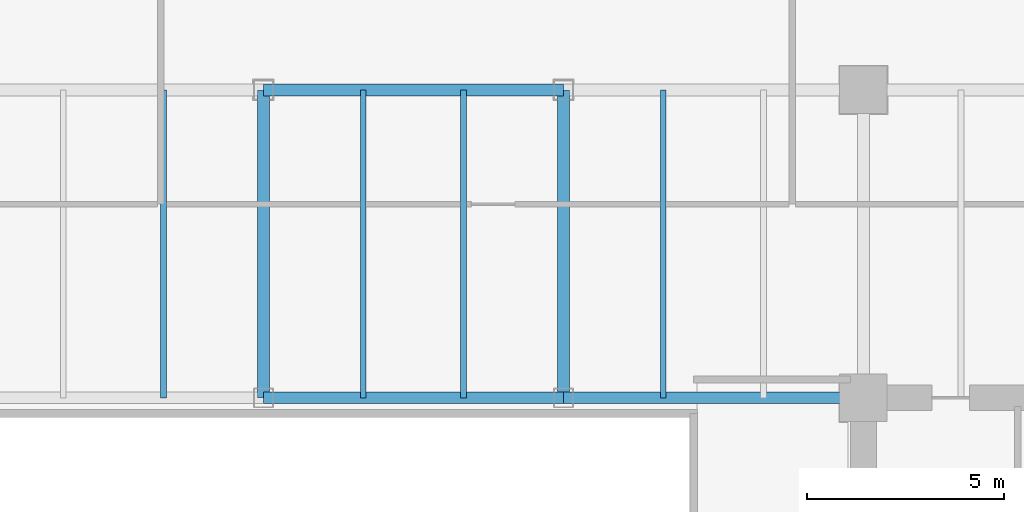
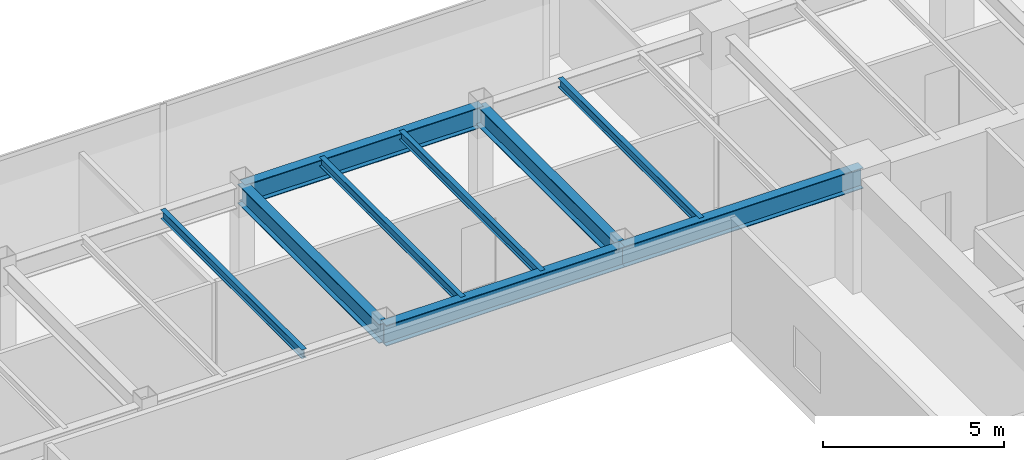
# One storey, part 17 of 33: 9 beams.
"""IFC4 building model written with IfcOpenShell, lengths in metres."""

import ifcopenshell
import ifcopenshell.guid

model = None  # the IFC model being written
_history = None  # IfcOwnerHistory: only IFC2X3 demands one
_inside = {}  # id of a spatial element -> (the spatial element, [elements in it])
_under = {}  # id of a project, library or spatial element -> (it, [spatial elements below it])
_declared = {}  # id of a project -> (the project, [libraries it declares])
_typed = {}  # id of a type object -> (the type object, [elements of that type])
_made_of = {}  # id of a material, layer set ... -> (it, [elements and type objects made of it])


def new_model(schema):
    """Start an empty IFC model of exactly this schema.

    Asked for "IFC4X3", IfcOpenShell would pick the latest addendum, in which some entities
    have other attributes; the version numbers below select the first issue.
    IFC2X3 requires an IfcOwnerHistory on every rooted entity: one is made here for all.
    """
    global model, _history
    if schema == "IFC4X3":
        model = ifcopenshell.file(schema_version=(4, 3, 0, 0))
    else:
        model = ifcopenshell.file(schema=schema)
    _inside.clear()
    _under.clear()
    _declared.clear()
    _typed.clear()
    _made_of.clear()
    _history = None
    if model.schema == "IFC2X3":
        org = make("IfcOrganization", Name="unknown")
        user = make(
            "IfcPersonAndOrganization",
            ThePerson=make("IfcPerson", FamilyName="unknown"),
            TheOrganization=org,
        )
        app = make(
            "IfcApplication",
            ApplicationDeveloper=org,
            Version="unknown",
            ApplicationFullName="unknown",
            ApplicationIdentifier="unknown",
        )
        _history = make(
            "IfcOwnerHistory",
            OwningUser=user,
            OwningApplication=app,
            ChangeAction="ADDED",
            CreationDate=0,
        )
    return model


def make(cls, **values):
    """One entity of the class cls with the attributes given. An attribute that is None is left unset."""
    return model.create_entity(
        cls, **{name: value for name, value in values.items() if value is not None}
    )


def rooted(cls, **values):
    """An entity with a GlobalId (a new one), such as an element, a storey or a relation."""
    return make(cls, GlobalId=ifcopenshell.guid.new(), OwnerHistory=_history, **values)


def si_unit(unit_type, name, prefix=None):
    """IfcSIUnit, for example si_unit("LENGTHUNIT", "METRE", prefix="MILLI")."""
    return make("IfcSIUnit", UnitType=unit_type, Prefix=prefix, Name=name)


def assignment(units):
    """IfcUnitAssignment: the units of a project."""
    return None if units is None else make("IfcUnitAssignment", Units=units)


def point(xyz):
    """IfcCartesianPoint."""
    return None if xyz is None else make("IfcCartesianPoint", Coordinates=xyz)


def direction(xyz):
    """IfcDirection."""
    return None if xyz is None else make("IfcDirection", DirectionRatios=xyz)


def frame(location, z_axis=None, x_axis=None):
    """IfcAxis2Placement3D, a coordinate frame: its origin and axes. An axis left out is left unset."""
    return make(
        "IfcAxis2Placement3D",
        Location=point(location),
        Axis=direction(z_axis),
        RefDirection=direction(x_axis),
    )


def frame_2d(location, x_axis=None):
    """IfcAxis2Placement2D, a coordinate frame in the plane: its origin and x axis."""
    return make(
        "IfcAxis2Placement2D", Location=point(location), RefDirection=direction(x_axis)
    )


def origin():
    """The frame at (0, 0, 0) with its axes left unset."""
    return frame((0.0, 0.0, 0.0))


def origin_2d():
    """The frame at (0, 0) in the plane with its x axis left unset."""
    return frame_2d((0.0, 0.0))


def place(relative_to, where):
    """IfcLocalPlacement: puts the frame where relative to a parent placement (None: the world)."""
    return make(
        "IfcLocalPlacement", PlacementRelTo=relative_to, RelativePlacement=where
    )


def context(
    kind, dimensions, precision=None, world=None, true_north=None, identifier=None
):
    """IfcGeometricRepresentationContext, for example the 3D "Model" context."""
    return make(
        "IfcGeometricRepresentationContext",
        ContextIdentifier=identifier,
        ContextType=kind,
        CoordinateSpaceDimension=dimensions,
        Precision=precision,
        WorldCoordinateSystem=world,
        TrueNorth=true_north,
    )


def subcontext(parent, identifier, kind, view, scale=None):
    """IfcGeometricRepresentationSubContext, for example "Body" below "Model"."""
    return make(
        "IfcGeometricRepresentationSubContext",
        ContextIdentifier=identifier,
        ContextType=kind,
        ParentContext=parent,
        TargetScale=scale,
        TargetView=view,
    )


def project(units=None, contexts=None):
    """IfcProject with its units and contexts."""
    return rooted(
        "IfcProject",
        Name="project",
        RepresentationContexts=contexts,
        UnitsInContext=assignment(units),
    )


def spatial(cls, under=None, at=None, **own):
    """A site, building, storey or space (cls), placed at a placement, below another one or the project."""
    s = rooted(cls, ObjectPlacement=at, **own)
    if under is not None:
        _under.setdefault(under.id(), (under, []))[1].append(s)
    return s


def profile(cls, at=None, kind="AREA", **sizes):
    """A parametric profile (cls). Its sizes go by their IFC names, for example OverallWidth=200.0."""
    return make(cls, ProfileType=kind, Position=at, **sizes)


def i_section(**sizes):
    """IfcIShapeProfileDef."""
    return profile("IfcIShapeProfileDef", **sizes)


def extrude(swept, where, along, depth):
    """IfcExtrudedAreaSolid: the profile swept, set in the frame where, extruded along a direction by depth."""
    return make(
        "IfcExtrudedAreaSolid",
        SweptArea=swept,
        Position=where,
        ExtrudedDirection=direction(along),
        Depth=depth,
    )


def shape(context_of_items, identifier, shape_type, items):
    """IfcShapeRepresentation: the items that make up one representation, for example the "Body"."""
    return make(
        "IfcShapeRepresentation",
        ContextOfItems=context_of_items,
        RepresentationIdentifier=identifier,
        RepresentationType=shape_type,
        Items=items,
    )


def source(mapping_origin, context_of_items, identifier, shape_type, items):
    """IfcRepresentationMap: a shape defined once, which mapped items show again and again."""
    return make(
        "IfcRepresentationMap",
        MappingOrigin=mapping_origin,
        MappedRepresentation=shape(context_of_items, identifier, shape_type, items),
    )


def transform(
    local_origin,
    x_axis=None,
    y_axis=None,
    z_axis=None,
    scale=None,
    scale2=None,
    scale3=None,
    uniform=True,
):
    """IfcCartesianTransformationOperator3D, or its non-uniform kind. x_axis, y_axis, z_axis: its Axis1, 2, 3."""
    if uniform:
        return make(
            "IfcCartesianTransformationOperator3D",
            Axis1=direction(x_axis),
            Axis2=direction(y_axis),
            LocalOrigin=point(local_origin),
            Scale=scale,
            Axis3=direction(z_axis),
        )
    return make(
        "IfcCartesianTransformationOperator3DnonUniform",
        Axis1=direction(x_axis),
        Axis2=direction(y_axis),
        LocalOrigin=point(local_origin),
        Scale=scale,
        Axis3=direction(z_axis),
        Scale2=scale2,
        Scale3=scale3,
    )


def mapped(mapping_source, mapping_target):
    """IfcMappedItem: shows the shape of a source again, moved by a transform."""
    return make(
        "IfcMappedItem", MappingSource=mapping_source, MappingTarget=mapping_target
    )


def material(Name=None, Category=None):
    """IfcMaterial."""
    return make("IfcMaterial", Name=Name, Category=Category)


def material_profile(
    of_material, cross_section, Name=None, Category=None, Priority=None
):
    """IfcMaterialProfile: a cross section and its material."""
    return make(
        "IfcMaterialProfile",
        Name=Name,
        Material=of_material,
        Profile=cross_section,
        Priority=Priority,
        Category=Category,
    )


def profile_set(profiles, Name=None, composite=None):
    """IfcMaterialProfileSet."""
    return make(
        "IfcMaterialProfileSet",
        Name=Name,
        MaterialProfiles=profiles,
        CompositeProfile=composite,
    )


def made_of(thing, what):
    """Note that an element or type object is made of a material, layer set ...; save() writes the relation."""
    if what is not None:
        _made_of.setdefault(what.id(), (what, []))[1].append(thing)
    return thing


def type_object(cls, material=None, **own):
    """A type object (cls), such as IfcWallType, which elements share."""
    return made_of(rooted(cls, **own), material)


def type_shapes(of_type, sources):
    """Give a type object the sources (RepresentationMaps) that its elements show as mapped items."""
    of_type.RepresentationMaps = sources


def element(
    cls,
    number,
    at=None,
    inside=None,
    cuts=None,
    type_object=None,
    material=None,
    context=None,
    identifier="Body",
    shape_type=None,
    held_by="IfcProductDefinitionShape",
    body=None,
    shapes=None,
    **own,
):
    """One element of the class cls, such as IfcWall. Its Tag is "e" and its number.

    at: its placement. inside: the storey or other place that contains it. cuts: it is an
    opening in that element (IfcRelVoidsElement). A single representation is given by context,
    identifier, shape_type and body (its items); several are given by shapes. held_by: the class
    of the entity that holds the representations. save() writes the other relations.
    """
    e = rooted(cls, Tag="e%d" % number, ObjectPlacement=at, **own)
    if body is not None:
        shapes = [shape(context, identifier, shape_type, body)]
    if shapes is not None:
        e.Representation = make(held_by, Representations=shapes)
    if inside is not None:
        _inside.setdefault(inside.id(), (inside, []))[1].append(e)
    if cuts is not None:
        rooted(
            "IfcRelVoidsElement", RelatingBuildingElement=cuts, RelatedOpeningElement=e
        )
    if type_object is not None:
        _typed.setdefault(type_object.id(), (type_object, []))[1].append(e)
    return made_of(e, material)


def aggregate(whole, parts):
    """IfcRelAggregates: a whole, such as a stair, and the parts it consists of."""
    return rooted("IfcRelAggregates", RelatingObject=whole, RelatedObjects=parts)


def save(model, path):
    """Write the relations noted so far, then the file.

    IfcRelAggregates (storeys below a building ...), IfcRelContainedInSpatialStructure (elements
    in a storey), IfcRelDefinesByType, IfcRelAssociatesMaterial and IfcRelDeclares: one each for
    every whole, place, type object, material and project.
    """
    for whole, parts in _under.values():
        aggregate(whole, parts)
    for where, things in _inside.values():
        rooted(
            "IfcRelContainedInSpatialStructure",
            RelatedElements=things,
            RelatingStructure=where,
        )
    for kind, things in _typed.values():
        rooted("IfcRelDefinesByType", RelatedObjects=things, RelatingType=kind)
    for what, things in _made_of.values():
        rooted("IfcRelAssociatesMaterial", RelatedObjects=things, RelatingMaterial=what)
    for by, libraries in _declared.values():
        rooted("IfcRelDeclares", RelatingContext=by, RelatedDefinitions=libraries)
    model.write(path)


model = new_model("IFC4")

# Units and contexts
model_context = context("Model", 3, precision=1e-05, world=origin(), true_north=direction((0.0, 1.0)))
body_context = subcontext(model_context, "Body", "Model", "MODEL_VIEW")
ifc_project = project(units=[si_unit("LENGTHUNIT", "METRE"), si_unit("AREAUNIT", "SQUARE_METRE"), si_unit("VOLUMEUNIT", "CUBIC_METRE"), si_unit("PLANEANGLEUNIT", "RADIAN"), si_unit("MASSUNIT", "GRAM", prefix="KILO")], contexts=[model_context])

# Site, building, storey
site_placement = place(None, origin())
site = spatial("IfcSite", under=ifc_project, at=site_placement, CompositionType="ELEMENT")
building_placement = place(site_placement, origin())
building = spatial("IfcBuilding", under=site, at=building_placement, Name="Haelvirn Gate Laboratories", CompositionType="ELEMENT")
storey_placement = place(building_placement, frame((0.0, 0.0, 117.39990234375)))
storey = spatial("IfcBuildingStorey", under=building, at=storey_placement, Name="L28", CompositionType="ELEMENT", Elevation=117.39990234375)

# Beams
ifc_material = material(Name="Steel SM355", Category="steel")
ifc_material_profile_1 = material_profile(ifc_material, i_section(OverallWidth=0.300048828125, OverallDepth=0.64990234375, WebThickness=0.012939453125, FlangeThickness=0.02197265625, at=origin_2d()), Name="H-650x300x13x22")
ifc_profile_set_1 = profile_set([ifc_material_profile_1], Name="Steel SM355")
beam_type_1 = type_object("IfcBeamType", Name="BM-G-650", PredefinedType="BEAM", material=ifc_profile_set_1)
shared_shape_1 = source(origin(), body_context, "Body", "SweptSolid", [
    extrude(i_section(OverallWidth=0.300048828125, OverallDepth=0.64990234375, WebThickness=0.012939453125, FlangeThickness=0.02197265625, at=origin_2d()), origin(), (0.0, 0.0, 1.0), 7.800048828125),
])
type_shapes(beam_type_1, [shared_shape_1])
for number, where, z_axis, x_axis, name in (
    (1, (37.39990234375, 33.800048828125, 3.465087890625), (0.0, 1.0, 0.0), (-1.0, 0.0, 0.0), "L28 Frame Girder X37.4 (33.8-41.6)"),
    (2, (45.0, 33.800048828125, 3.465087890625), (0.0, 1.0, 0.0), (-1.0, 0.0, 0.0), "L28 Frame Girder X45.0 (33.8-41.6)"),
):
    element("IfcBeam", number, at=place(storey_placement, frame(where, z_axis=z_axis, x_axis=x_axis)), inside=storey, type_object=beam_type_1, Name=name, PredefinedType="BEAM", context=body_context, shape_type="MappedRepresentation", body=[
        mapped(shared_shape_1, transform((0.0, 0.0, 0.0), scale=1.0)),
    ])
ifc_material_profile_2 = material_profile(ifc_material, i_section(OverallWidth=0.300048828125, OverallDepth=0.699951171875, WebThickness=0.012939453125, FlangeThickness=0.02392578125, at=origin_2d()), Name="H-700x300x13x24")
ifc_profile_set_2 = profile_set([ifc_material_profile_2], Name="Steel SM355")
beam_type_2 = type_object("IfcBeamType", Name="BM-G-700", PredefinedType="BEAM", material=ifc_profile_set_2)
shared_shape_2 = source(origin(), body_context, "Body", "SweptSolid", [
    extrude(i_section(OverallWidth=0.300048828125, OverallDepth=0.699951171875, WebThickness=0.012939453125, FlangeThickness=0.02392578125, at=origin_2d()), origin(), (0.0, 0.0, 1.0), 7.60009765625),
])
type_shapes(beam_type_2, [shared_shape_2])
for number, where, z_axis, x_axis, name in (
    (3, (37.39990234375, 33.800048828125, 3.440185546875), (1.0, 0.0, 0.0), (0.0, 1.0, 0.0), "L28 Primary Girder Y33.8 (37.4-45.0)"),
    (4, (45.0, 33.800048828125, 3.440185546875), (1.0, 0.0, 0.0), (0.0, 1.0, 0.0), "L28 Primary Girder Y33.8 (45.0-52.6)"),
    (5, (37.39990234375, 41.60009765625, 3.440185546875), (1.0, 0.0, 0.0), (0.0, 1.0, 0.0), "L28 Primary Girder Y41.6 (37.4-45.0)"),
):
    element("IfcBeam", number, at=place(storey_placement, frame(where, z_axis=z_axis, x_axis=x_axis)), inside=storey, type_object=beam_type_2, Name=name, PredefinedType="BEAM", context=body_context, shape_type="MappedRepresentation", body=[
        mapped(shared_shape_2, transform((0.0, 0.0, 0.0), scale=1.0)),
    ])
ifc_material_profile_3 = material_profile(ifc_material, i_section(OverallWidth=0.14990234375, OverallDepth=0.300048828125, WebThickness=0.006591796875, FlangeThickness=0.009033203125, at=origin_2d()), Name="H-300x150x6.5x9")
ifc_profile_set_3 = profile_set([ifc_material_profile_3], Name="Steel SM355")
beam_type_3 = type_object("IfcBeamType", Name="BM-J-300", PredefinedType="JOIST", material=ifc_profile_set_3)
shared_shape_3 = source(origin(), body_context, "Body", "SweptSolid", [
    extrude(i_section(OverallWidth=0.14990234375, OverallDepth=0.300048828125, WebThickness=0.006591796875, FlangeThickness=0.009033203125, at=origin_2d()), origin(), (0.0, 0.0, 1.0), 7.800048828125),
])
type_shapes(beam_type_3, [shared_shape_3])
for number, where, z_axis, x_axis, name in (
    (6, (34.8701171875, 33.800048828125, 3.64013671875), (0.0, 1.0, 0.0), (-1.0, 0.0, 0.0), "L28 Composite Lab Joist North X34.87"),
    (7, (39.929931640625, 33.800048828125, 3.64013671875), (0.0, 1.0, 0.0), (-1.0, 0.0, 0.0), "L28 Composite Lab Joist North X39.93"),
    (8, (42.469970703125, 33.800048828125, 3.64013671875), (0.0, 1.0, 0.0), (-1.0, 0.0, 0.0), "L28 Composite Lab Joist North X42.47"),
    (9, (47.530029296875, 33.800048828125, 3.64013671875), (0.0, 1.0, 0.0), (-1.0, 0.0, 0.0), "L28 Composite Lab Joist North X47.53"),
):
    element("IfcBeam", number, at=place(storey_placement, frame(where, z_axis=z_axis, x_axis=x_axis)), inside=storey, type_object=beam_type_3, Name=name, PredefinedType="JOIST", context=body_context, shape_type="MappedRepresentation", body=[
        mapped(shared_shape_3, transform((0.0, 0.0, 0.0), scale=1.0)),
    ])

save(model, "model.ifc")
